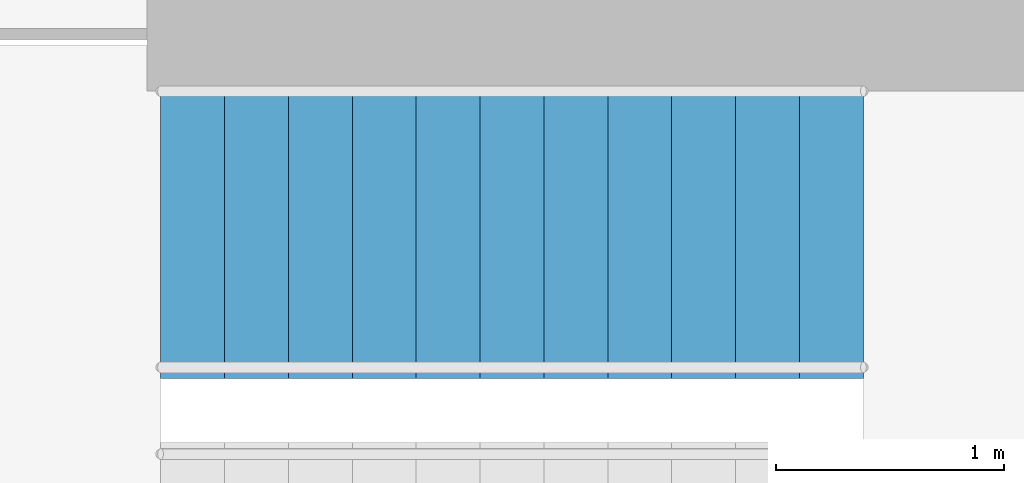
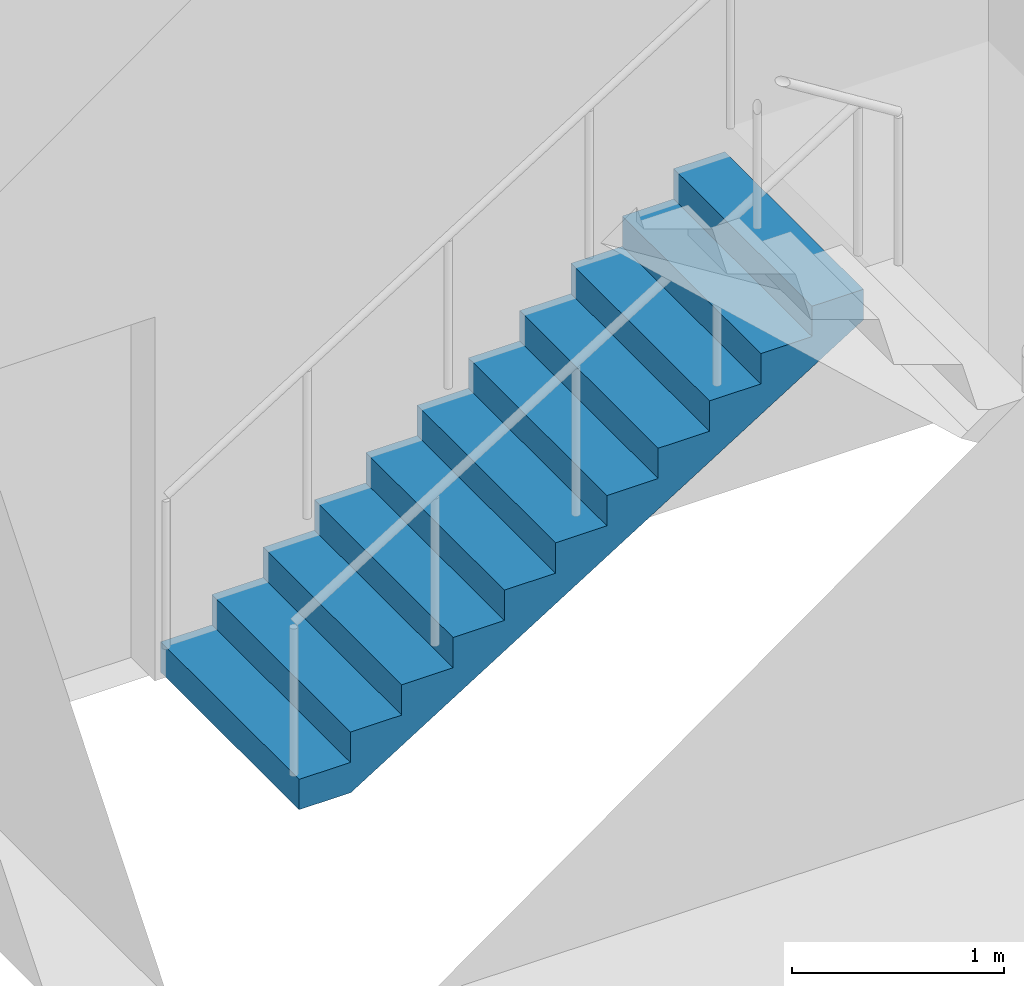
# One storey, part 12 of 16: 1 stair flight, 1 element without a shape of its own.
"""IFC4 building model written with IfcOpenShell, lengths in metres."""

import ifcopenshell
import ifcopenshell.guid

model = None  # the IFC model being written
_history = None  # IfcOwnerHistory: only IFC2X3 demands one
_inside = {}  # id of a spatial element -> (the spatial element, [elements in it])
_under = {}  # id of a project, library or spatial element -> (it, [spatial elements below it])
_declared = {}  # id of a project -> (the project, [libraries it declares])
_typed = {}  # id of a type object -> (the type object, [elements of that type])
_made_of = {}  # id of a material, layer set ... -> (it, [elements and type objects made of it])


def new_model(schema):
    """Start an empty IFC model of exactly this schema.

    Asked for "IFC4X3", IfcOpenShell would pick the latest addendum, in which some entities
    have other attributes; the version numbers below select the first issue.
    IFC2X3 requires an IfcOwnerHistory on every rooted entity: one is made here for all.
    """
    global model, _history
    if schema == "IFC4X3":
        model = ifcopenshell.file(schema_version=(4, 3, 0, 0))
    else:
        model = ifcopenshell.file(schema=schema)
    _inside.clear()
    _under.clear()
    _declared.clear()
    _typed.clear()
    _made_of.clear()
    _history = None
    if model.schema == "IFC2X3":
        org = make("IfcOrganization", Name="unknown")
        user = make(
            "IfcPersonAndOrganization",
            ThePerson=make("IfcPerson", FamilyName="unknown"),
            TheOrganization=org,
        )
        app = make(
            "IfcApplication",
            ApplicationDeveloper=org,
            Version="unknown",
            ApplicationFullName="unknown",
            ApplicationIdentifier="unknown",
        )
        _history = make(
            "IfcOwnerHistory",
            OwningUser=user,
            OwningApplication=app,
            ChangeAction="ADDED",
            CreationDate=0,
        )
    return model


def make(cls, **values):
    """One entity of the class cls with the attributes given. An attribute that is None is left unset."""
    return model.create_entity(
        cls, **{name: value for name, value in values.items() if value is not None}
    )


def rooted(cls, **values):
    """An entity with a GlobalId (a new one), such as an element, a storey or a relation."""
    return make(cls, GlobalId=ifcopenshell.guid.new(), OwnerHistory=_history, **values)


def si_unit(unit_type, name, prefix=None):
    """IfcSIUnit, for example si_unit("LENGTHUNIT", "METRE", prefix="MILLI")."""
    return make("IfcSIUnit", UnitType=unit_type, Prefix=prefix, Name=name)


def assignment(units):
    """IfcUnitAssignment: the units of a project."""
    return None if units is None else make("IfcUnitAssignment", Units=units)


def point(xyz):
    """IfcCartesianPoint."""
    return None if xyz is None else make("IfcCartesianPoint", Coordinates=xyz)


def direction(xyz):
    """IfcDirection."""
    return None if xyz is None else make("IfcDirection", DirectionRatios=xyz)


def frame(location, z_axis=None, x_axis=None):
    """IfcAxis2Placement3D, a coordinate frame: its origin and axes. An axis left out is left unset."""
    return make(
        "IfcAxis2Placement3D",
        Location=point(location),
        Axis=direction(z_axis),
        RefDirection=direction(x_axis),
    )


def origin():
    """The frame at (0, 0, 0) with its axes left unset."""
    return frame((0.0, 0.0, 0.0))


def place(relative_to, where):
    """IfcLocalPlacement: puts the frame where relative to a parent placement (None: the world)."""
    return make(
        "IfcLocalPlacement", PlacementRelTo=relative_to, RelativePlacement=where
    )


def context(
    kind, dimensions, precision=None, world=None, true_north=None, identifier=None
):
    """IfcGeometricRepresentationContext, for example the 3D "Model" context."""
    return make(
        "IfcGeometricRepresentationContext",
        ContextIdentifier=identifier,
        ContextType=kind,
        CoordinateSpaceDimension=dimensions,
        Precision=precision,
        WorldCoordinateSystem=world,
        TrueNorth=true_north,
    )


def subcontext(parent, identifier, kind, view, scale=None):
    """IfcGeometricRepresentationSubContext, for example "Body" below "Model"."""
    return make(
        "IfcGeometricRepresentationSubContext",
        ContextIdentifier=identifier,
        ContextType=kind,
        ParentContext=parent,
        TargetScale=scale,
        TargetView=view,
    )


def project(units=None, contexts=None):
    """IfcProject with its units and contexts."""
    return rooted(
        "IfcProject",
        Name="project",
        RepresentationContexts=contexts,
        UnitsInContext=assignment(units),
    )


def spatial(cls, under=None, at=None, **own):
    """A site, building, storey or space (cls), placed at a placement, below another one or the project."""
    s = rooted(cls, ObjectPlacement=at, **own)
    if under is not None:
        _under.setdefault(under.id(), (under, []))[1].append(s)
    return s


def polyline(points):
    """IfcPolyline through the points."""
    return make("IfcPolyline", Points=[point(p) for p in points])


def outline(outer, holes=None, kind="AREA"):
    """IfcArbitraryClosedProfileDef: a profile drawn as a closed curve; with holes, ...WithVoids."""
    if holes is None:
        return make("IfcArbitraryClosedProfileDef", ProfileType=kind, OuterCurve=outer)
    return make(
        "IfcArbitraryProfileDefWithVoids",
        ProfileType=kind,
        OuterCurve=outer,
        InnerCurves=holes,
    )


def extrude(swept, where, along, depth):
    """IfcExtrudedAreaSolid: the profile swept, set in the frame where, extruded along a direction by depth."""
    return make(
        "IfcExtrudedAreaSolid",
        SweptArea=swept,
        Position=where,
        ExtrudedDirection=direction(along),
        Depth=depth,
    )


def shape(context_of_items, identifier, shape_type, items):
    """IfcShapeRepresentation: the items that make up one representation, for example the "Body"."""
    return make(
        "IfcShapeRepresentation",
        ContextOfItems=context_of_items,
        RepresentationIdentifier=identifier,
        RepresentationType=shape_type,
        Items=items,
    )


def material(Name=None, Category=None):
    """IfcMaterial."""
    return make("IfcMaterial", Name=Name, Category=Category)


def made_of(thing, what):
    """Note that an element or type object is made of a material, layer set ...; save() writes the relation."""
    if what is not None:
        _made_of.setdefault(what.id(), (what, []))[1].append(thing)
    return thing


def type_object(cls, material=None, **own):
    """A type object (cls), such as IfcWallType, which elements share."""
    return made_of(rooted(cls, **own), material)


def element(
    cls,
    number,
    at=None,
    inside=None,
    cuts=None,
    type_object=None,
    material=None,
    context=None,
    identifier="Body",
    shape_type=None,
    held_by="IfcProductDefinitionShape",
    body=None,
    shapes=None,
    **own,
):
    """One element of the class cls, such as IfcWall. Its Tag is "e" and its number.

    at: its placement. inside: the storey or other place that contains it. cuts: it is an
    opening in that element (IfcRelVoidsElement). A single representation is given by context,
    identifier, shape_type and body (its items); several are given by shapes. held_by: the class
    of the entity that holds the representations. save() writes the other relations.
    """
    e = rooted(cls, Tag="e%d" % number, ObjectPlacement=at, **own)
    if body is not None:
        shapes = [shape(context, identifier, shape_type, body)]
    if shapes is not None:
        e.Representation = make(held_by, Representations=shapes)
    if inside is not None:
        _inside.setdefault(inside.id(), (inside, []))[1].append(e)
    if cuts is not None:
        rooted(
            "IfcRelVoidsElement", RelatingBuildingElement=cuts, RelatedOpeningElement=e
        )
    if type_object is not None:
        _typed.setdefault(type_object.id(), (type_object, []))[1].append(e)
    return made_of(e, material)


def aggregate(whole, parts):
    """IfcRelAggregates: a whole, such as a stair, and the parts it consists of."""
    return rooted("IfcRelAggregates", RelatingObject=whole, RelatedObjects=parts)


def save(model, path):
    """Write the relations noted so far, then the file.

    IfcRelAggregates (storeys below a building ...), IfcRelContainedInSpatialStructure (elements
    in a storey), IfcRelDefinesByType, IfcRelAssociatesMaterial and IfcRelDeclares: one each for
    every whole, place, type object, material and project.
    """
    for whole, parts in _under.values():
        aggregate(whole, parts)
    for where, things in _inside.values():
        rooted(
            "IfcRelContainedInSpatialStructure",
            RelatedElements=things,
            RelatingStructure=where,
        )
    for kind, things in _typed.values():
        rooted("IfcRelDefinesByType", RelatedObjects=things, RelatingType=kind)
    for what, things in _made_of.values():
        rooted("IfcRelAssociatesMaterial", RelatedObjects=things, RelatingMaterial=what)
    for by, libraries in _declared.values():
        rooted("IfcRelDeclares", RelatingContext=by, RelatedDefinitions=libraries)
    model.write(path)


model = new_model("IFC4")

# Units and contexts
model_context = context("Model", 3, precision=1e-05, world=origin(), true_north=direction((0.0, 1.0)))
body_context = subcontext(model_context, "Body", "Model", "MODEL_VIEW")
ifc_project = project(units=[si_unit("LENGTHUNIT", "METRE"), si_unit("AREAUNIT", "SQUARE_METRE"), si_unit("VOLUMEUNIT", "CUBIC_METRE"), si_unit("PLANEANGLEUNIT", "RADIAN"), si_unit("MASSUNIT", "GRAM", prefix="KILO")], contexts=[model_context])

# Site, building, storey
site_placement = place(None, origin())
site = spatial("IfcSite", under=ifc_project, at=site_placement, CompositionType="ELEMENT")
building_placement = place(site_placement, origin())
building = spatial("IfcBuilding", under=site, at=building_placement, Name="Qaws Media Tower", CompositionType="ELEMENT")
storey_placement = place(building_placement, frame((0.0, 0.0, 105.800048828125)))
storey = spatial("IfcBuildingStorey", under=building, at=storey_placement, Name="L23", CompositionType="ELEMENT", Elevation=105.800048828125)

# Stair, stair flight
ifc_material_1 = material(Name="Concrete C40/50", Category="concrete")
stair_type = type_object("IfcStairType", Name="Exit stair", PredefinedType="HALF_TURN_STAIR", material=ifc_material_1)
stair_placement = place(storey_placement, origin())
stair = element("IfcStair", 1, at=stair_placement, inside=storey, type_object=stair_type, Name="S2 exit stair L23", PredefinedType="HALF_TURN_STAIR")
ifc_material_2 = material(Name="Concrete C40/50", Category="concrete")
stair_flight_type = type_object("IfcStairFlightType", Name="Stair flight 1310", PredefinedType="STRAIGHT", material=ifc_material_2)
stair_flight_placement = place(storey_placement, frame((66.159912109375, 47.64501953125, 0.0), z_axis=(0.0, 0.0, 1.0), x_axis=(1.0, 0.0, 0.0)))
stair_flight = element("IfcStairFlight", 2, at=stair_flight_placement, type_object=stair_flight_type, Name="S2 flight 1", NumberOfRisers=12, NumberOfTreads=11, PredefinedType="STRAIGHT", RiserHeight=0.175, TreadLength=0.28, context=body_context, shape_type="SweptSolid", body=[
    extrude(outline(polyline([(0.0, 0.0), (0.0, 0.175048828125), (0.280029296875, 0.175048828125), (0.280029296875, 0.35009765625), (0.56005859375, 0.35009765625), (0.56005859375, 0.52490234375), (0.840087890625, 0.52490234375), (0.840087890625, 0.699951171875), (1.1201171875, 0.699951171875), (1.1201171875, 0.875), (1.39990234375, 0.875), (1.39990234375, 1.050048828125), (1.679931640625, 1.050048828125), (1.679931640625, 1.22509765625), (1.9599609375, 1.22509765625), (1.9599609375, 1.39990234375), (2.239990234375, 1.39990234375), (2.239990234375, 1.574951171875), (2.52001953125, 1.574951171875), (2.52001953125, 1.75), (2.800048828125, 1.75), (2.800048828125, 1.925048828125), (3.080078125, 1.925048828125), (3.080078125, 2.10009765625), (3.080078125, 1.748291015625), (0.28271484375, 0.0), (0.0, 0.0)])), frame((0.0, 0.655029296875, 0.0), z_axis=(0.0, -1.0, 0.0), x_axis=(1.0, 0.0, 0.0)), (0.0, 0.0, 1.0), 1.31005859375),
])
aggregate(stair, [stair_flight])

save(model, "model.ifc")
